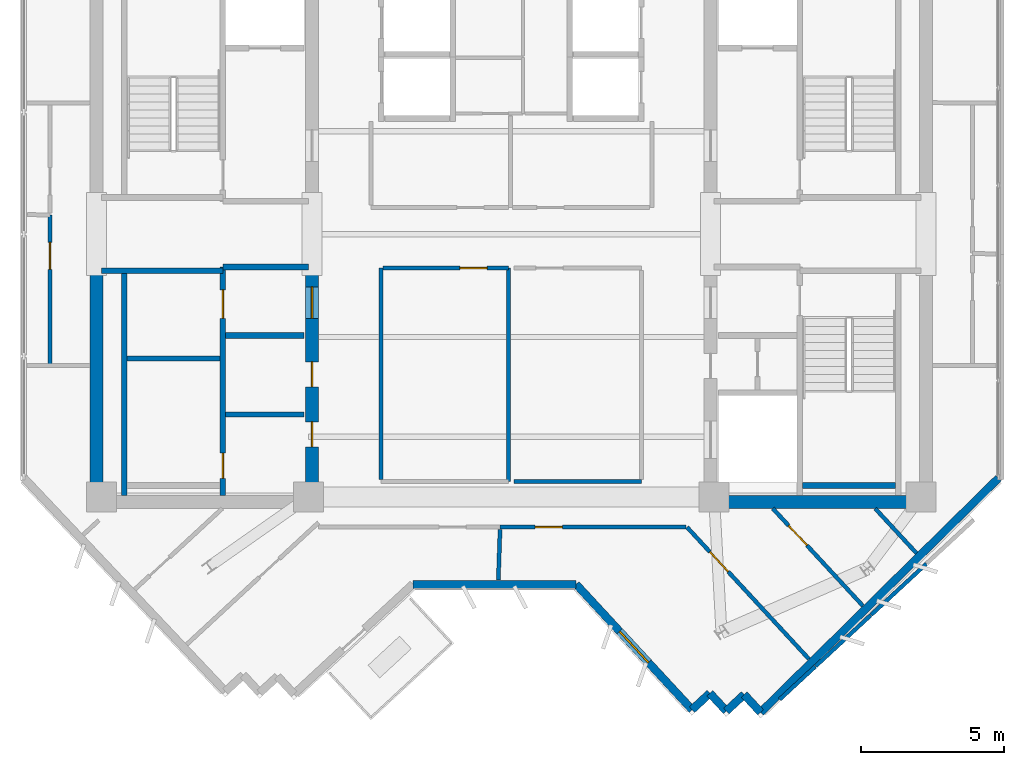
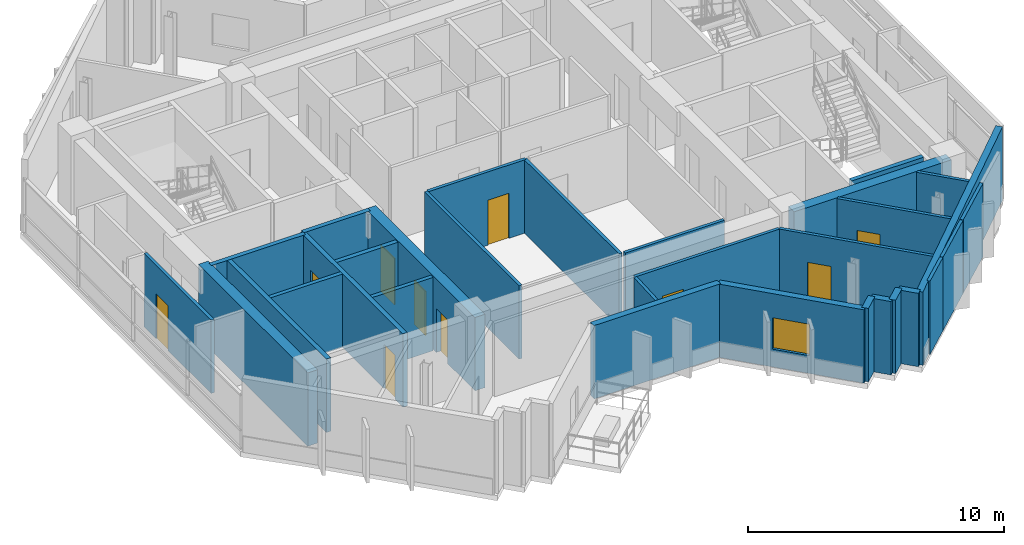
# One storey, part 4 of 9: 31 walls, 10 doors, 1 window, 11 openings.
"""IFC4 building model written with IfcOpenShell, lengths in metres."""

from ifc_helpers import new_model, si_unit, direction, frame, frame_2d, origin, place, context, subcontext, project, spatial, rectangle, extrude, source, transform, mapped, material, layer, layer_set, type_object, element, fill, save


model = new_model("IFC4")

# Units and contexts
model_context = context("Model", 3, precision=1e-05, world=origin(), true_north=direction((0.0, 1.0)))
body_context = subcontext(model_context, "Body", "Model", "MODEL_VIEW")
ifc_project = project(units=[si_unit("LENGTHUNIT", "METRE"), si_unit("AREAUNIT", "SQUARE_METRE"), si_unit("VOLUMEUNIT", "CUBIC_METRE"), si_unit("PLANEANGLEUNIT", "RADIAN"), si_unit("MASSUNIT", "GRAM", prefix="KILO")], contexts=[model_context])

# Site, building, storey
site_placement = place(None, origin())
site = spatial("IfcSite", under=ifc_project, at=site_placement, CompositionType="ELEMENT")
building_placement = place(site_placement, origin())
building = spatial("IfcBuilding", under=site, at=building_placement, Name="Zahravan Cultural Tower", CompositionType="ELEMENT")
storey_placement = place(building_placement, frame((0.0, 0.0, 295.35009765625)))
storey = spatial("IfcBuildingStorey", under=building, at=storey_placement, Name="L71", CompositionType="ELEMENT", Elevation=295.35009765625)

# Wall, openings, doors
ifc_material_1 = material(Name="Concrete C50/60", Category="concrete")
ifc_layer_1 = layer(ifc_material_1, 0.449951171875)
ifc_layer_set_1 = layer_set([ifc_layer_1], Name="Concrete C50/60")
wall_type_1 = type_object("IfcWallType", Name="CW-SHEAR-450-C50", PredefinedType="SHEAR", material=ifc_layer_set_1)
wall_1_placement = place(storey_placement, frame((29.02490234375, 17.39990234375, 0.0), z_axis=(0.0, 0.0, 1.0), x_axis=(0.0, 1.0, 0.0)))
wall_1 = element("IfcWall", 1, at=wall_1_placement, inside=storey, type_object=wall_type_1, Name="L71 Core Shear Wall CW-W-ES-L71", PredefinedType="SHEAR", context=body_context, shape_type="SweptSolid", body=[
    extrude(rectangle(XDim=8.550048828125, YDim=0.449951171875, at=frame_2d((4.27490234375, 0.0))), origin(), (0.0, 0.0, 1.0), 3.5),
])
opening_1_placement = place(wall_1_placement, frame((6.64990234375, 0.0, 0.0)))
opening_1 = element("IfcOpeningElement", 2, at=opening_1_placement, cuts=wall_1, Name="Opening D-L71-08", PredefinedType="OPENING", context=body_context, shape_type="SweptSolid", body=[
    extrude(rectangle(XDim=1.10009765625, YDim=2.199951171875, at=frame_2d((0.550048828125, 1.10009765625))), frame((0.0, 0.23486328125, 0.0), z_axis=(0.0, -1.0, 0.0), x_axis=(1.0, 0.0, 0.0)), (0.0, 0.0, 1.0), 0.469970703125),
])
opening_2_placement = place(wall_1_placement, frame((2.14990234375, 0.0, 0.0)))
opening_2 = element("IfcOpeningElement", 3, at=opening_2_placement, cuts=wall_1, Name="Opening D-L71-10", PredefinedType="OPENING", context=body_context, shape_type="SweptSolid", body=[
    extrude(rectangle(XDim=0.8798828125, YDim=2.10009765625, at=frame_2d((0.43994140625, 1.050048828125))), frame((0.0, 0.23486328125, 0.0), z_axis=(0.0, -1.0, 0.0), x_axis=(1.0, 0.0, 0.0)), (0.0, 0.0, 1.0), 0.469970703125),
])
opening_3_placement = place(wall_1_placement, frame((4.25, 0.0, 0.0)))
opening_3 = element("IfcOpeningElement", 4, at=opening_3_placement, cuts=wall_1, Name="Opening D-L71-11", PredefinedType="OPENING", context=body_context, shape_type="SweptSolid", body=[
    extrude(rectangle(XDim=0.8798828125, YDim=2.10009765625, at=frame_2d((0.43994140625, 1.050048828125))), frame((0.0, 0.23486328125, 0.0), z_axis=(0.0, -1.0, 0.0), x_axis=(1.0, 0.0, 0.0)), (0.0, 0.0, 1.0), 0.469970703125),
])
ifc_material_2 = material(Name="Steel ASTM A572 Grade 50", Category="steel")
door_type_1 = type_object("IfcDoorType", Name="DR-LOBBY-1100", OperationType="NOTDEFINED", PredefinedType="DOOR", material=ifc_material_2)
shared_shape_1 = source(origin(), body_context, "Body", "SweptSolid", [
    extrude(rectangle(XDim=1.10009765625, YDim=2.199951171875, at=frame_2d((0.550048828125, 1.10009765625))), frame((0.0, 0.02490234375, 0.0), z_axis=(0.0, -1.0, 0.0), x_axis=(1.0, 0.0, 0.0)), (0.0, 0.0, 1.0), 0.050048828125),
])
door_1_placement = place(opening_1_placement, origin())
door_1 = element("IfcDoor", 5, at=door_1_placement, inside=storey, type_object=door_type_1, Name="L71 Door D-L71-08", OperationType="SINGLE_SWING_RIGHT", OverallHeight=2.199951171875, OverallWidth=1.10009765625, PredefinedType="DOOR", context=body_context, shape_type="MappedRepresentation", body=[
    mapped(shared_shape_1, transform((0.0, 0.0, 0.0), x_axis=(1.0, 0.0, 0.0), y_axis=(0.0, 1.0, 0.0), z_axis=(0.0, 0.0, 1.0), scale=1.0)),
])
fill(opening_1, door_1)
door_type_2 = type_object("IfcDoorType", Name="DR-SVC-880", OperationType="NOTDEFINED", PredefinedType="DOOR", material=ifc_material_2)
shared_shape_2 = source(origin(), body_context, "Body", "SweptSolid", [
    extrude(rectangle(XDim=0.8798828125, YDim=2.10009765625, at=frame_2d((0.43994140625, 1.050048828125))), frame((0.0, 0.02490234375, 0.0), z_axis=(0.0, -1.0, 0.0), x_axis=(1.0, 0.0, 0.0)), (0.0, 0.0, 1.0), 0.050048828125),
])
door_2_placement = place(opening_2_placement, origin())
door_2 = element("IfcDoor", 6, at=door_2_placement, inside=storey, type_object=door_type_2, Name="L71 Door D-L71-10", OperationType="SINGLE_SWING_RIGHT", OverallHeight=2.10009765625, OverallWidth=0.8798828125, PredefinedType="DOOR", context=body_context, shape_type="MappedRepresentation", body=[
    mapped(shared_shape_2, transform((0.0, 0.0, 0.0), x_axis=(1.0, 0.0, 0.0), y_axis=(0.0, 1.0, 0.0), z_axis=(0.0, 0.0, 1.0), scale=1.0)),
])
fill(opening_2, door_2)
door_3_placement = place(opening_3_placement, origin())
door_3 = element("IfcDoor", 7, at=door_3_placement, inside=storey, type_object=door_type_2, Name="L71 Door D-L71-11", OperationType="SINGLE_SWING_LEFT", OverallHeight=2.10009765625, OverallWidth=0.8798828125, PredefinedType="DOOR", context=body_context, shape_type="MappedRepresentation", body=[
    mapped(shared_shape_2, transform((0.0, 0.0, 0.0), x_axis=(1.0, 0.0, 0.0), y_axis=(0.0, 1.0, 0.0), z_axis=(0.0, 0.0, 1.0), scale=1.0)),
])
fill(opening_3, door_3)

# Wall, opening, window
ifc_material_3 = material(Name="Precast concrete C40/50", Category="concrete")
ifc_layer_2 = layer(ifc_material_3, 0.280029296875)
ifc_layer_set_2 = layer_set([ifc_layer_2], Name="Precast concrete C40/50")
wall_type_2 = type_object("IfcWallType", Name="EW-TC-280", PredefinedType="SOLIDWALL", material=ifc_layer_set_2)
wall_2_placement = place(storey_placement, frame((42.327880859375, 10.35009765625, 0.0), z_axis=(0.0, 0.0, 1.0), x_axis=(-0.679010627727, 0.734128440693, 0.0)))
wall_2 = element("IfcWall", 8, at=wall_2_placement, inside=storey, type_object=wall_type_2, Name="L71 Exterior Masonry Frame Wall 12", PredefinedType="SOLIDWALL", context=body_context, shape_type="SweptSolid", body=[
    extrude(rectangle(XDim=5.979736328125, YDim=0.280029296875, at=frame_2d((2.98974609375, 0.0))), origin(), (0.0, 0.0, 1.0), 3.5),
])
opening_4_placement = place(wall_2_placement, frame((2.239990234375, 0.0, 0.85009765625)))
opening_4 = element("IfcOpeningElement", 9, at=opening_4_placement, cuts=wall_2, Name="Opening WN-03", PredefinedType="OPENING", context=body_context, shape_type="SweptSolid", body=[
    extrude(rectangle(XDim=1.5, YDim=1.5, at=frame_2d((0.75, 0.75))), frame((0.0, 0.14990234375, 0.0), z_axis=(0.0, -1.0, 0.0), x_axis=(1.0, 0.0, 0.0)), (0.0, 0.0, 1.0), 0.300048828125),
])
ifc_material_4 = material(Name="Low-E solar-control double glazing", Category="glass")
window_type = type_object("IfcWindowType", Name="WN-REC-1500X1500", PartitioningType="SINGLE_PANEL", PredefinedType="WINDOW", material=ifc_material_4)
shared_shape_3 = source(origin(), body_context, "Body", "SweptSolid", [
    extrude(rectangle(XDim=1.5, YDim=1.5, at=frame_2d((0.75, 0.75))), frame((0.0, 0.030029296875, 0.0), z_axis=(0.0, -1.0, 0.0), x_axis=(1.0, 0.0, 0.0)), (0.0, 0.0, 1.0), 0.06005859375),
])
window_placement = place(opening_4_placement, origin())
window = element("IfcWindow", 10, at=window_placement, inside=storey, type_object=window_type, Name="L71 Recessed Solar Window 03", OverallHeight=1.5, OverallWidth=1.5, PartitioningType="SINGLE_PANEL", PredefinedType="WINDOW", context=body_context, shape_type="MappedRepresentation", body=[
    mapped(shared_shape_3, transform((0.0, 0.0, 0.0), x_axis=(1.0, 0.0, 0.0), y_axis=(0.0, 1.0, 0.0), z_axis=(0.0, 0.0, 1.0), scale=1.0)),
])
fill(opening_4, window)

# Wall, opening, door
ifc_material_5 = material(Name="Gypsum plasterboard partition")
ifc_layer_3 = layer(ifc_material_5, 0.139892578125)
ifc_layer_set_3 = layer_set([ifc_layer_3], Name="Gypsum plasterboard partition")
wall_type_3 = type_object("IfcWallType", Name="W-PART-140", PredefinedType="PARTITIONING", material=ifc_layer_set_3)
wall_3_placement = place(storey_placement, frame((48.310546875, 13.98486328125, 0.0), z_axis=(0.0, 0.0, 1.0), x_axis=(-0.679002327249, 0.73413611789, 0.0)))
wall_3 = element("IfcWall", 11, at=wall_3_placement, inside=storey, type_object=wall_type_3, Name="L71 Interior Wall 052", PredefinedType="PARTITIONING", context=body_context, shape_type="SweptSolid", body=[
    extrude(rectangle(XDim=4.64501953125, YDim=0.139892578125, at=frame_2d((2.322509765625, 0.0))), origin(), (0.0, 0.0, 1.0), 3.5),
])
opening_5_placement = place(wall_3_placement, frame((2.882080078125, 0.0, 0.0)))
opening_5 = element("IfcOpeningElement", 12, at=opening_5_placement, cuts=wall_3, Name="Opening D-L71-32", PredefinedType="OPENING", context=body_context, shape_type="SweptSolid", body=[
    extrude(rectangle(XDim=0.949951171875, YDim=2.14990234375, at=frame_2d((0.47509765625, 1.074951171875))), frame((0.0, 0.079833984375, 0.0), z_axis=(0.0, -1.0, 0.0), x_axis=(1.0, 0.0, 0.0)), (0.0, 0.0, 1.0), 0.159912109375),
])
ifc_material_6 = material(Name="Anodised bronze-aluminium mullion", Category="aluminium")
door_type_3 = type_object("IfcDoorType", Name="DR-ROOM-950", OperationType="NOTDEFINED", PredefinedType="DOOR", material=ifc_material_6)
shared_shape_4 = source(origin(), body_context, "Body", "SweptSolid", [
    extrude(rectangle(XDim=0.949951171875, YDim=2.14990234375, at=frame_2d((0.47509765625, 1.074951171875))), frame((0.0, 0.02490234375, 0.0), z_axis=(0.0, -1.0, 0.0), x_axis=(1.0, 0.0, 0.0)), (0.0, 0.0, 1.0), 0.050048828125),
])
door_4_placement = place(opening_5_placement, origin())
door_4 = element("IfcDoor", 13, at=door_4_placement, inside=storey, type_object=door_type_3, Name="L71 Door D-L71-32", OperationType="SINGLE_SWING_RIGHT", OverallHeight=2.14990234375, OverallWidth=0.949951171875, PredefinedType="DOOR", context=body_context, shape_type="MappedRepresentation", body=[
    mapped(shared_shape_4, transform((0.0, 0.0, 0.0), x_axis=(1.0, 0.0, 0.0), y_axis=(0.0, 1.0, 0.0), z_axis=(0.0, 0.0, 1.0), scale=1.0)),
])
fill(opening_5, door_4)

wall_4_placement = place(storey_placement, frame((46.42138671875, 12.124755859375, 0.0), z_axis=(0.0, 0.0, 1.0), x_axis=(-0.679016867794, 0.734122669076, 0.0)))
wall_4 = element("IfcWall", 14, at=wall_4_placement, inside=storey, type_object=wall_type_3, Name="L71 Interior Wall 062", PredefinedType="PARTITIONING", context=body_context, shape_type="SweptSolid", body=[
    extrude(rectangle(XDim=6.28662109375, YDim=0.139892578125, at=frame_2d((3.143310546875, 0.0))), origin(), (0.0, 0.0, 1.0), 3.5),
])
opening_6_placement = place(wall_4_placement, frame((4.16259765625, 0.0, 0.0)))
opening_6 = element("IfcOpeningElement", 15, at=opening_6_placement, cuts=wall_4, Name="Opening D-L71-31", PredefinedType="OPENING", context=body_context, shape_type="SweptSolid", body=[
    extrude(rectangle(XDim=0.949951171875, YDim=2.14990234375, at=frame_2d((0.47509765625, 1.074951171875))), frame((0.0, 0.079833984375, 0.0), z_axis=(0.0, -1.0, 0.0), x_axis=(1.0, 0.0, 0.0)), (0.0, 0.0, 1.0), 0.159912109375),
])
door_5_placement = place(opening_6_placement, origin())
door_5 = element("IfcDoor", 16, at=door_5_placement, inside=storey, type_object=door_type_3, Name="L71 Door D-L71-31", OperationType="SINGLE_SWING_LEFT", OverallHeight=2.14990234375, OverallWidth=0.949951171875, PredefinedType="DOOR", context=body_context, shape_type="MappedRepresentation", body=[
    mapped(shared_shape_4, transform((0.0, 0.0, 0.0), x_axis=(1.0, 0.0, 0.0), y_axis=(0.0, 1.0, 0.0), z_axis=(0.0, 0.0, 1.0), scale=1.0)),
])
fill(opening_6, door_5)

wall_5_placement = place(storey_placement, frame((19.85009765625, 27.662353515625, 0.0), z_axis=(0.0, 0.0, 1.0), x_axis=(0.0, -1.0, 0.0)))
wall_5 = element("IfcWall", 17, at=wall_5_placement, inside=storey, type_object=wall_type_3, Name="L71 Interior Wall 066", PredefinedType="PARTITIONING", context=body_context, shape_type="SweptSolid", body=[
    extrude(rectangle(XDim=5.25634765625, YDim=0.139892578125, at=frame_2d((2.628173828125, 0.0))), origin(), (0.0, 0.0, 1.0), 3.5),
])
opening_7_placement = place(wall_5_placement, frame((0.947509765625, 0.0, 0.0)))
opening_7 = element("IfcOpeningElement", 18, at=opening_7_placement, cuts=wall_5, Name="Opening D-L71-24", PredefinedType="OPENING", context=body_context, shape_type="SweptSolid", body=[
    extrude(rectangle(XDim=0.949951171875, YDim=2.14990234375, at=frame_2d((0.47509765625, 1.074951171875))), frame((0.0, 0.079833984375, 0.0), z_axis=(0.0, -1.0, 0.0), x_axis=(1.0, 0.0, 0.0)), (0.0, 0.0, 1.0), 0.159912109375),
])
door_6_placement = place(opening_7_placement, origin())
door_6 = element("IfcDoor", 19, at=door_6_placement, inside=storey, type_object=door_type_3, Name="L71 Door D-L71-24", OperationType="SINGLE_SWING_RIGHT", OverallHeight=2.14990234375, OverallWidth=0.949951171875, PredefinedType="DOOR", context=body_context, shape_type="MappedRepresentation", body=[
    mapped(shared_shape_4, transform((0.0, 0.0, 0.0), x_axis=(1.0, 0.0, 0.0), y_axis=(0.0, 1.0, 0.0), z_axis=(0.0, 0.0, 1.0), scale=1.0)),
])
fill(opening_7, door_6)

wall_6_placement = place(storey_placement, frame((31.514892578125, 25.81005859375, 0.0), z_axis=(0.0, 0.0, 1.0), x_axis=(1.0, 0.0, 0.0)))
wall_6 = element("IfcWall", 20, at=wall_6_placement, inside=storey, type_object=wall_type_3, Name="L71 Interior Wall 083", PredefinedType="PARTITIONING", context=body_context, shape_type="SweptSolid", body=[
    extrude(rectangle(XDim=4.39501953125, YDim=0.139892578125, at=frame_2d((2.197509765625, 0.0))), origin(), (0.0, 0.0, 1.0), 3.5),
])
opening_8_placement = place(wall_6_placement, frame((2.68701171875, 0.0, 0.0)))
opening_8 = element("IfcOpeningElement", 21, at=opening_8_placement, cuts=wall_6, Name="Opening D-L71-14", PredefinedType="OPENING", context=body_context, shape_type="SweptSolid", body=[
    extrude(rectangle(XDim=0.949951171875, YDim=2.14990234375, at=frame_2d((0.47509765625, 1.074951171875))), frame((0.0, 0.079833984375, 0.0), z_axis=(0.0, -1.0, 0.0), x_axis=(1.0, 0.0, 0.0)), (0.0, 0.0, 1.0), 0.159912109375),
])
door_7_placement = place(opening_8_placement, origin())
door_7 = element("IfcDoor", 22, at=door_7_placement, inside=storey, type_object=door_type_3, Name="L71 Door D-L71-14", OperationType="SINGLE_SWING_RIGHT", OverallHeight=2.14990234375, OverallWidth=0.949951171875, PredefinedType="DOOR", context=body_context, shape_type="MappedRepresentation", body=[
    mapped(shared_shape_4, transform((0.0, 0.0, 0.0), x_axis=(1.0, 0.0, 0.0), y_axis=(0.0, 1.0, 0.0), z_axis=(0.0, 0.0, 1.0), scale=1.0)),
])
fill(opening_8, door_7)

wall_7_placement = place(storey_placement, frame((35.60986328125, 16.739990234375, 0.0), z_axis=(0.0, 0.0, 1.0), x_axis=(1.0, 0.0, 0.0)))
wall_7 = element("IfcWall", 23, at=wall_7_placement, inside=storey, type_object=wall_type_3, Name="L71 Interior Wall 090", PredefinedType="PARTITIONING", context=body_context, shape_type="SweptSolid", body=[
    extrude(rectangle(XDim=6.515380859375, YDim=0.139892578125, at=frame_2d((3.2578125, 0.0))), origin(), (0.0, 0.0, 1.0), 3.5),
])
opening_9_placement = place(wall_7_placement, frame((1.224365234375, 0.0, 0.0)))
opening_9 = element("IfcOpeningElement", 24, at=opening_9_placement, cuts=wall_7, Name="Opening D-L71-26", PredefinedType="OPENING", context=body_context, shape_type="SweptSolid", body=[
    extrude(rectangle(XDim=0.949951171875, YDim=2.14990234375, at=frame_2d((0.47509765625, 1.074951171875))), frame((0.0, 0.079833984375, 0.0), z_axis=(0.0, -1.0, 0.0), x_axis=(1.0, 0.0, 0.0)), (0.0, 0.0, 1.0), 0.159912109375),
])
door_8_placement = place(opening_9_placement, origin())
door_8 = element("IfcDoor", 25, at=door_8_placement, inside=storey, type_object=door_type_3, Name="L71 Door D-L71-26", OperationType="SINGLE_SWING_RIGHT", OverallHeight=2.14990234375, OverallWidth=0.949951171875, PredefinedType="DOOR", context=body_context, shape_type="MappedRepresentation", body=[
    mapped(shared_shape_4, transform((0.0, 0.0, 0.0), x_axis=(1.0, 0.0, 0.0), y_axis=(0.0, 1.0, 0.0), z_axis=(0.0, 0.0, 1.0), scale=1.0)),
])
fill(opening_9, door_8)

# Wall, openings, doors
ifc_material_7 = material(Name="Concrete C45/55", Category="concrete")
ifc_layer_4 = layer(ifc_material_7, 0.199951171875)
ifc_layer_set_4 = layer_set([ifc_layer_4], Name="Concrete C45/55")
wall_type_4 = type_object("IfcWallType", Name="W-SHAFT-200", PredefinedType="SOLIDWALL", material=ifc_layer_set_4)
wall_8_placement = place(storey_placement, frame((25.89990234375, 17.85009765625, 0.0), z_axis=(0.0, 0.0, 1.0), x_axis=(0.0, 1.0, 0.0)))
wall_8 = element("IfcWall", 26, at=wall_8_placement, inside=storey, type_object=wall_type_4, Name="L71 Interior Wall 005", PredefinedType="SOLIDWALL", context=body_context, shape_type="SweptSolid", body=[
    extrude(rectangle(XDim=8.0, YDim=0.199951171875, at=frame_2d((4.0, 0.0))), origin(), (0.0, 0.0, 1.0), 3.5),
])
opening_10_placement = place(wall_8_placement, frame((6.199951171875, 0.0, 0.0)))
opening_10 = element("IfcOpeningElement", 27, at=opening_10_placement, cuts=wall_8, Name="Opening D-L71-04", PredefinedType="OPENING", context=body_context, shape_type="SweptSolid", body=[
    extrude(rectangle(XDim=1.0, YDim=2.14990234375, at=frame_2d((0.5, 1.074951171875))), frame((0.0, 0.10986328125, 0.0), z_axis=(0.0, -1.0, 0.0), x_axis=(1.0, 0.0, 0.0)), (0.0, 0.0, 1.0), 0.219970703125),
])
opening_11_placement = place(wall_8_placement, frame((0.60009765625, 0.0, 0.0)))
opening_11 = element("IfcOpeningElement", 28, at=opening_11_placement, cuts=wall_8, Name="Opening D-L71-05", PredefinedType="OPENING", context=body_context, shape_type="SweptSolid", body=[
    extrude(rectangle(XDim=0.8798828125, YDim=2.10009765625, at=frame_2d((0.43994140625, 1.050048828125))), frame((0.0, 0.10986328125, 0.0), z_axis=(0.0, -1.0, 0.0), x_axis=(1.0, 0.0, 0.0)), (0.0, 0.0, 1.0), 0.219970703125),
])
door_9_placement = place(opening_11_placement, origin())
door_9 = element("IfcDoor", 29, at=door_9_placement, inside=storey, type_object=door_type_2, Name="L71 Door D-L71-05", OperationType="SINGLE_SWING_LEFT", OverallHeight=2.10009765625, OverallWidth=0.8798828125, PredefinedType="DOOR", context=body_context, shape_type="MappedRepresentation", body=[
    mapped(shared_shape_2, transform((0.0, 0.0, 0.0), x_axis=(1.0, 0.0, 0.0), y_axis=(0.0, 1.0, 0.0), z_axis=(0.0, 0.0, 1.0), scale=1.0)),
])
fill(opening_11, door_9)
door_type_4 = type_object("IfcDoorType", Name="DR-COMP-1000", OperationType="NOTDEFINED", PredefinedType="DOOR", material=ifc_material_2)
shared_shape_5 = source(origin(), body_context, "Body", "SweptSolid", [
    extrude(rectangle(XDim=1.0, YDim=2.14990234375, at=frame_2d((0.5, 1.074951171875))), frame((0.0, 0.02490234375, 0.0), z_axis=(0.0, -1.0, 0.0), x_axis=(1.0, 0.0, 0.0)), (0.0, 0.0, 1.0), 0.050048828125),
])
door_10_placement = place(opening_10_placement, origin())
door_10 = element("IfcDoor", 30, at=door_10_placement, inside=storey, type_object=door_type_4, Name="L71 Door D-L71-04", OperationType="SINGLE_SWING_RIGHT", OverallHeight=2.14990234375, OverallWidth=1.0, PredefinedType="DOOR", context=body_context, shape_type="MappedRepresentation", body=[
    mapped(shared_shape_5, transform((0.0, 0.0, 0.0), x_axis=(1.0, 0.0, 0.0), y_axis=(0.0, 1.0, 0.0), z_axis=(0.0, 0.0, 1.0), scale=1.0)),
])
fill(opening_10, door_10)

# Walls
shared_shape_6 = source(origin(), body_context, "Body", "SweptSolid", [
    extrude(rectangle(XDim=8.550048828125, YDim=0.449951171875, at=frame_2d((4.27490234375, 0.0))), origin(), (0.0, 0.0, 1.0), 3.5),
])
wall_9_placement = place(storey_placement, frame((21.47509765625, 17.39990234375, 0.0), z_axis=(0.0, 0.0, 1.0), x_axis=(0.0, 1.0, 0.0)))
element("IfcWall", 31, at=wall_9_placement, inside=storey, type_object=wall_type_1, Name="L71 Core Shear Wall CW-W-WS-L71", PredefinedType="SHEAR", context=body_context, shape_type="MappedRepresentation", body=[
    mapped(shared_shape_6, transform((0.0, 0.0, 0.0), x_axis=(1.0, 0.0, 0.0), y_axis=(0.0, 1.0, 0.0), z_axis=(0.0, 0.0, 1.0), scale=1.0)),
])
shared_shape_7 = source(origin(), body_context, "Body", "SweptSolid", [
    extrude(rectangle(XDim=7.10009765625, YDim=0.449951171875, at=frame_2d((3.550048828125, 0.0))), origin(), (0.0, 0.0, 1.0), 3.5),
])
wall_10_placement = place(storey_placement, frame((43.199951171875, 17.625, 0.0), z_axis=(0.0, 0.0, 1.0), x_axis=(1.0, 0.0, 0.0)))
element("IfcWall", 32, at=wall_10_placement, inside=storey, type_object=wall_type_1, Name="L71 Core Shear Wall CW-E-S-L71", PredefinedType="SHEAR", context=body_context, shape_type="MappedRepresentation", body=[
    mapped(shared_shape_7, transform((0.0, 0.0, 0.0), x_axis=(1.0, 0.0, 0.0), y_axis=(0.0, 1.0, 0.0), z_axis=(0.0, 0.0, 1.0), scale=1.0)),
])
shared_shape_8 = source(origin(), body_context, "Body", "SweptSolid", [
    extrude(rectangle(XDim=0.85009765625, YDim=0.280029296875, at=frame_2d((0.425048828125, 0.0))), origin(), (0.0, 0.0, 1.0), 3.5),
])
for number, where, z_axis, x_axis, name in (
    (33, (44.73046875, 10.25634765625, 0.0), (0.0, 0.0, 1.0), (-0.67899554472, 0.734142390991, 0.0), "L71 Exterior Masonry Frame Wall 08"),
    (34, (44.1533203125, 10.88037109375, 0.0), (0.0, 0.0, 1.0), (-0.733999227766, -0.679150302686, 0.0), "L71 Exterior Masonry Frame Wall 09"),
    (35, (43.529296875, 10.302978515625, 0.0), (0.0, 0.0, 1.0), (-0.679150302686, 0.733999227766, 0.0), "L71 Exterior Masonry Frame Wall 10"),
):
    element("IfcWall", number, at=place(storey_placement, frame(where, z_axis=z_axis, x_axis=x_axis)), inside=storey, type_object=wall_type_2, Name=name, PredefinedType="SOLIDWALL", context=body_context, shape_type="MappedRepresentation", body=[
        mapped(shared_shape_8, transform((0.0, 0.0, 0.0), x_axis=(1.0, 0.0, 0.0), y_axis=(0.0, 1.0, 0.0), z_axis=(0.0, 0.0, 1.0), scale=1.0)),
    ])
shared_shape_9 = source(origin(), body_context, "Body", "SweptSolid", [
    extrude(rectangle(XDim=0.849853515625, YDim=0.280029296875, at=frame_2d((0.4248046875, 0.0))), origin(), (0.0, 0.0, 1.0), 3.5),
])
wall_11_placement = place(storey_placement, frame((42.951904296875, 10.927001953125, 0.0), z_axis=(0.0, 0.0, 1.0), x_axis=(-0.73428557742, -0.678840696183, 0.0)))
element("IfcWall", 36, at=wall_11_placement, inside=storey, type_object=wall_type_2, Name="L71 Exterior Masonry Frame Wall 11", PredefinedType="SOLIDWALL", context=body_context, shape_type="MappedRepresentation", body=[
    mapped(shared_shape_9, transform((0.0, 0.0, 0.0), x_axis=(1.0, 0.0, 0.0), y_axis=(0.0, 1.0, 0.0), z_axis=(0.0, 0.0, 1.0), scale=1.0)),
])
shared_shape_10 = source(origin(), body_context, "Body", "SweptSolid", [
    extrude(rectangle(XDim=11.689697265625, YDim=0.280029296875, at=frame_2d((5.8447265625, 0.0))), origin(), (0.0, 0.0, 1.0), 3.5),
])
wall_12_placement = place(storey_placement, frame((53.06005859375, 18.4580078125, 0.0), z_axis=(0.0, 0.0, 1.0), x_axis=(-0.712557502542, -0.701613715353, 0.0)))
element("IfcWall", 37, at=wall_12_placement, inside=storey, type_object=wall_type_2, Name="L71 Exterior Masonry Frame Wall 07", PredefinedType="SOLIDWALL", context=body_context, shape_type="MappedRepresentation", body=[
    mapped(shared_shape_10, transform((0.0, 0.0, 0.0), x_axis=(1.0, 0.0, 0.0), y_axis=(0.0, 1.0, 0.0), z_axis=(0.0, 0.0, 1.0), scale=1.0)),
])
shared_shape_11 = source(origin(), body_context, "Body", "SweptSolid", [
    extrude(rectangle(XDim=5.71435546875, YDim=0.280029296875, at=frame_2d((2.857177734375, 0.0))), origin(), (0.0, 0.0, 1.0), 3.5),
])
wall_13_placement = place(storey_placement, frame((38.267578125, 14.739990234375, 0.0), z_axis=(0.0, 0.0, 1.0), x_axis=(-1.0, 0.0, 0.0)))
element("IfcWall", 38, at=wall_13_placement, inside=storey, type_object=wall_type_2, Name="L71 Exterior Masonry Frame Wall 13", PredefinedType="SOLIDWALL", context=body_context, shape_type="MappedRepresentation", body=[
    mapped(shared_shape_11, transform((0.0, 0.0, 0.0), x_axis=(1.0, 0.0, 0.0), y_axis=(0.0, 1.0, 0.0), z_axis=(0.0, 0.0, 1.0), scale=1.0)),
])
shared_shape_12 = source(origin(), body_context, "Body", "SweptSolid", [
    extrude(rectangle(XDim=7.869873046875, YDim=0.199951171875, at=frame_2d((3.93505859375, 0.0))), origin(), (0.0, 0.0, 1.0), 3.5),
])
wall_14_placement = place(storey_placement, frame((22.449951171875, 17.85009765625, 0.0), z_axis=(0.0, 0.0, 1.0), x_axis=(0.0, 1.0, 0.0)))
element("IfcWall", 39, at=wall_14_placement, inside=storey, type_object=wall_type_4, Name="L71 Interior Wall 001", PredefinedType="SOLIDWALL", context=body_context, shape_type="MappedRepresentation", body=[
    mapped(shared_shape_12, transform((0.0, 0.0, 0.0), x_axis=(1.0, 0.0, 0.0), y_axis=(0.0, 1.0, 0.0), z_axis=(0.0, 0.0, 1.0), scale=1.0)),
])
shared_shape_13 = source(origin(), body_context, "Body", "SweptSolid", [
    extrude(rectangle(XDim=4.25, YDim=0.199951171875, at=frame_2d((2.125, 0.0))), origin(), (0.0, 0.0, 1.0), 3.5),
])
wall_15_placement = place(storey_placement, frame((21.64990234375, 25.715087890625, 0.0), z_axis=(0.0, 0.0, 1.0), x_axis=(1.0, 0.0, 0.0)))
element("IfcWall", 40, at=wall_15_placement, inside=storey, type_object=wall_type_4, Name="L71 Interior Wall 009", PredefinedType="SOLIDWALL", context=body_context, shape_type="MappedRepresentation", body=[
    mapped(shared_shape_13, transform((0.0, 0.0, 0.0), x_axis=(1.0, 0.0, 0.0), y_axis=(0.0, 1.0, 0.0), z_axis=(0.0, 0.0, 1.0), scale=1.0)),
])
shared_shape_14 = source(origin(), body_context, "Body", "SweptSolid", [
    extrude(rectangle(XDim=3.0, YDim=0.199951171875, at=frame_2d((1.5, 0.0))), origin(), (0.0, 0.0, 1.0), 3.5),
])
wall_16_placement = place(storey_placement, frame((25.89990234375, 25.85009765625, 0.0), z_axis=(0.0, 0.0, 1.0), x_axis=(1.0, 0.0, 0.0)))
element("IfcWall", 41, at=wall_16_placement, inside=storey, type_object=wall_type_4, Name="L71 Interior Wall 010", PredefinedType="SOLIDWALL", context=body_context, shape_type="MappedRepresentation", body=[
    mapped(shared_shape_14, transform((0.0, 0.0, 0.0), x_axis=(1.0, 0.0, 0.0), y_axis=(0.0, 1.0, 0.0), z_axis=(0.0, 0.0, 1.0), scale=1.0)),
])
shared_shape_15 = source(origin(), body_context, "Body", "SweptSolid", [
    extrude(rectangle(XDim=3.25, YDim=0.199951171875, at=frame_2d((1.625, 0.0))), origin(), (0.0, 0.0, 1.0), 3.5),
])
wall_17_placement = place(storey_placement, frame((46.199951171875, 18.199951171875, 0.0), z_axis=(0.0, 0.0, 1.0), x_axis=(1.0, 0.0, 0.0)))
element("IfcWall", 42, at=wall_17_placement, inside=storey, type_object=wall_type_4, Name="L71 Interior Wall 020", PredefinedType="SOLIDWALL", context=body_context, shape_type="MappedRepresentation", body=[
    mapped(shared_shape_15, transform((0.0, 0.0, 0.0), x_axis=(1.0, 0.0, 0.0), y_axis=(0.0, 1.0, 0.0), z_axis=(0.0, 0.0, 1.0), scale=1.0)),
])
ifc_layer_5 = layer(ifc_material_5, 0.179931640625)
ifc_layer_set_5 = layer_set([ifc_layer_5], Name="Gypsum plasterboard partition")
wall_type_5 = type_object("IfcWallType", Name="W-COMP-180", PredefinedType="PARTITIONING", material=ifc_layer_set_5)
shared_shape_16 = source(origin(), body_context, "Body", "SweptSolid", [
    extrude(rectangle(XDim=3.25, YDim=0.179931640625, at=frame_2d((1.625, 0.0))), origin(), (0.0, 0.0, 1.0), 3.5),
])
wall_18_placement = place(storey_placement, frame((22.550048828125, 22.64990234375, 0.0), z_axis=(0.0, 0.0, 1.0), x_axis=(1.0, 0.0, 0.0)))
element("IfcWall", 43, at=wall_18_placement, inside=storey, type_object=wall_type_5, Name="L71 Interior Wall 021", PredefinedType="PARTITIONING", context=body_context, shape_type="MappedRepresentation", body=[
    mapped(shared_shape_16, transform((0.0, 0.0, 0.0), x_axis=(1.0, 0.0, 0.0), y_axis=(0.0, 1.0, 0.0), z_axis=(0.0, 0.0, 1.0), scale=1.0)),
])
shared_shape_17 = source(origin(), body_context, "Body", "SweptSolid", [
    extrude(rectangle(XDim=2.75, YDim=0.199951171875, at=frame_2d((1.375, 0.0))), origin(), (0.0, 0.0, 1.0), 3.5),
])
wall_19_placement = place(storey_placement, frame((26.0, 23.449951171875, 0.0), z_axis=(0.0, 0.0, 1.0), x_axis=(1.0, 0.0, 0.0)))
element("IfcWall", 44, at=wall_19_placement, inside=storey, type_object=wall_type_4, Name="L71 Interior Wall 024", PredefinedType="SOLIDWALL", context=body_context, shape_type="MappedRepresentation", body=[
    mapped(shared_shape_17, transform((0.0, 0.0, 0.0), x_axis=(1.0, 0.0, 0.0), y_axis=(0.0, 1.0, 0.0), z_axis=(0.0, 0.0, 1.0), scale=1.0)),
])
shared_shape_18 = source(origin(), body_context, "Body", "SweptSolid", [
    extrude(rectangle(XDim=2.75, YDim=0.179931640625, at=frame_2d((1.375, 0.0))), origin(), (0.0, 0.0, 1.0), 3.5),
])
wall_20_placement = place(storey_placement, frame((26.0, 20.679931640625, 0.0), z_axis=(0.0, 0.0, 1.0), x_axis=(1.0, 0.0, 0.0)))
element("IfcWall", 45, at=wall_20_placement, inside=storey, type_object=wall_type_5, Name="L71 Interior Wall 027", PredefinedType="PARTITIONING", context=body_context, shape_type="MappedRepresentation", body=[
    mapped(shared_shape_18, transform((0.0, 0.0, 0.0), x_axis=(1.0, 0.0, 0.0), y_axis=(0.0, 1.0, 0.0), z_axis=(0.0, 0.0, 1.0), scale=1.0)),
])
shared_shape_19 = source(origin(), body_context, "Body", "SweptSolid", [
    extrude(rectangle(XDim=7.39501953125, YDim=0.139892578125, at=frame_2d((3.697509765625, 0.0))), origin(), (0.0, 0.0, 1.0), 3.5),
])
wall_21_placement = place(storey_placement, frame((31.43994140625, 18.4150390625, 0.0), z_axis=(0.0, 0.0, 1.0), x_axis=(0.0, 1.0, 0.0)))
element("IfcWall", 46, at=wall_21_placement, inside=storey, type_object=wall_type_3, Name="L71 Interior Wall 082", PredefinedType="PARTITIONING", context=body_context, shape_type="MappedRepresentation", body=[
    mapped(shared_shape_19, transform((0.0, 0.0, 0.0), x_axis=(1.0, 0.0, 0.0), y_axis=(0.0, 1.0, 0.0), z_axis=(0.0, 0.0, 1.0), scale=1.0)),
])
shared_shape_20 = source(origin(), body_context, "Body", "SweptSolid", [
    extrude(rectangle(XDim=4.469970703125, YDim=0.139892578125, at=frame_2d((2.23486328125, 0.0))), origin(), (0.0, 0.0, 1.0), 3.5),
])
wall_22_placement = place(storey_placement, frame((40.56005859375, 18.340087890625, 0.0), z_axis=(0.0, 0.0, 1.0), x_axis=(-1.0, 0.0, 0.0)))
element("IfcWall", 47, at=wall_22_placement, inside=storey, type_object=wall_type_3, Name="L71 Interior Wall 085", PredefinedType="PARTITIONING", context=body_context, shape_type="MappedRepresentation", body=[
    mapped(shared_shape_20, transform((0.0, 0.0, 0.0), x_axis=(1.0, 0.0, 0.0), y_axis=(0.0, 1.0, 0.0), z_axis=(0.0, 0.0, 1.0), scale=1.0)),
])
shared_shape_21 = source(origin(), body_context, "Body", "SweptSolid", [
    extrude(rectangle(XDim=2.130126953125, YDim=0.139892578125, at=frame_2d((1.06494140625, 0.0))), origin(), (0.0, 0.0, 1.0), 3.5),
])
wall_23_placement = place(storey_placement, frame((48.739013671875, 17.39501953125, 0.0), z_axis=(0.0, 0.0, 1.0), x_axis=(0.678946242809, -0.734187986401, 0.0)))
element("IfcWall", 48, at=wall_23_placement, inside=storey, type_object=wall_type_3, Name="L71 Interior Wall 053", PredefinedType="PARTITIONING", context=body_context, shape_type="MappedRepresentation", body=[
    mapped(shared_shape_21, transform((0.0, 0.0, 0.0), x_axis=(1.0, 0.0, 0.0), y_axis=(0.0, 1.0, 0.0), z_axis=(0.0, 0.0, 1.0), scale=1.0)),
])
shared_shape_22 = source(origin(), body_context, "Body", "SweptSolid", [
    extrude(rectangle(XDim=2.6298828125, YDim=0.139892578125, at=frame_2d((1.31494140625, 0.0))), origin(), (0.0, 0.0, 1.0), 3.5),
])
for number, where, z_axis, x_axis, name in (
    (49, (50.53076171875, 15.457763671875, 0.0), (0.0, 0.0, 1.0), (-0.73409481217, -0.679046984196, 0.0), "L71 Interior Wall 054"),
    (50, (48.585205078125, 13.658447265625, 0.0), (0.0, 0.0, 1.0), (-0.73409481217, -0.679046984196, 0.0), "L71 Interior Wall 061"),
):
    element("IfcWall", number, at=place(storey_placement, frame(where, z_axis=z_axis, x_axis=x_axis)), inside=storey, type_object=wall_type_3, Name=name, PredefinedType="PARTITIONING", context=body_context, shape_type="MappedRepresentation", body=[
        mapped(shared_shape_22, transform((0.0, 0.0, 0.0), x_axis=(1.0, 0.0, 0.0), y_axis=(0.0, 1.0, 0.0), z_axis=(0.0, 0.0, 1.0), scale=1.0)),
    ])
shared_shape_23 = source(origin(), body_context, "Body", "SweptSolid", [
    extrude(rectangle(XDim=7.469970703125, YDim=0.139892578125, at=frame_2d((3.73486328125, 0.0))), origin(), (0.0, 0.0, 1.0), 3.5),
])
wall_24_placement = place(storey_placement, frame((35.909912109375, 25.81005859375, 0.0), z_axis=(0.0, 0.0, 1.0), x_axis=(0.0, -1.0, 0.0)))
element("IfcWall", 51, at=wall_24_placement, inside=storey, type_object=wall_type_3, Name="L71 Interior Wall 084", PredefinedType="PARTITIONING", context=body_context, shape_type="MappedRepresentation", body=[
    mapped(shared_shape_23, transform((0.0, 0.0, 0.0), x_axis=(1.0, 0.0, 0.0), y_axis=(0.0, 1.0, 0.0), z_axis=(0.0, 0.0, 1.0), scale=1.0)),
])
shared_shape_24 = source(origin(), body_context, "Body", "SweptSolid", [
    extrude(rectangle(XDim=1.781005859375, YDim=0.139892578125, at=frame_2d((0.890625, 0.0))), origin(), (0.0, 0.0, 1.0), 3.5),
])
wall_25_placement = place(storey_placement, frame((35.607177734375, 16.6650390625, 0.0), z_axis=(0.0, 0.0, 1.0), x_axis=(-0.034268709891, -0.999412655274, 0.0)))
element("IfcWall", 52, at=wall_25_placement, inside=storey, type_object=wall_type_3, Name="L71 Interior Wall 089", PredefinedType="PARTITIONING", context=body_context, shape_type="MappedRepresentation", body=[
    mapped(shared_shape_24, transform((0.0, 0.0, 0.0), x_axis=(1.0, 0.0, 0.0), y_axis=(0.0, 1.0, 0.0), z_axis=(0.0, 0.0, 1.0), scale=1.0)),
])
shared_shape_25 = source(origin(), body_context, "Body", "SweptSolid", [
    extrude(rectangle(XDim=1.692138671875, YDim=0.139892578125, at=frame_2d((0.84619140625, 0.0))), origin(), (0.0, 0.0, 1.0), 3.5),
])
wall_26_placement = place(storey_placement, frame((46.639892578125, 11.85888671875, 0.0), z_axis=(0.0, 0.0, 1.0), x_axis=(-0.734194722112, -0.678938958982, 0.0)))
element("IfcWall", 53, at=wall_26_placement, inside=storey, type_object=wall_type_3, Name="L71 Interior Wall 091", PredefinedType="PARTITIONING", context=body_context, shape_type="MappedRepresentation", body=[
    mapped(shared_shape_25, transform((0.0, 0.0, 0.0), x_axis=(1.0, 0.0, 0.0), y_axis=(0.0, 1.0, 0.0), z_axis=(0.0, 0.0, 1.0), scale=1.0)),
])

save(model, "model.ifc")
